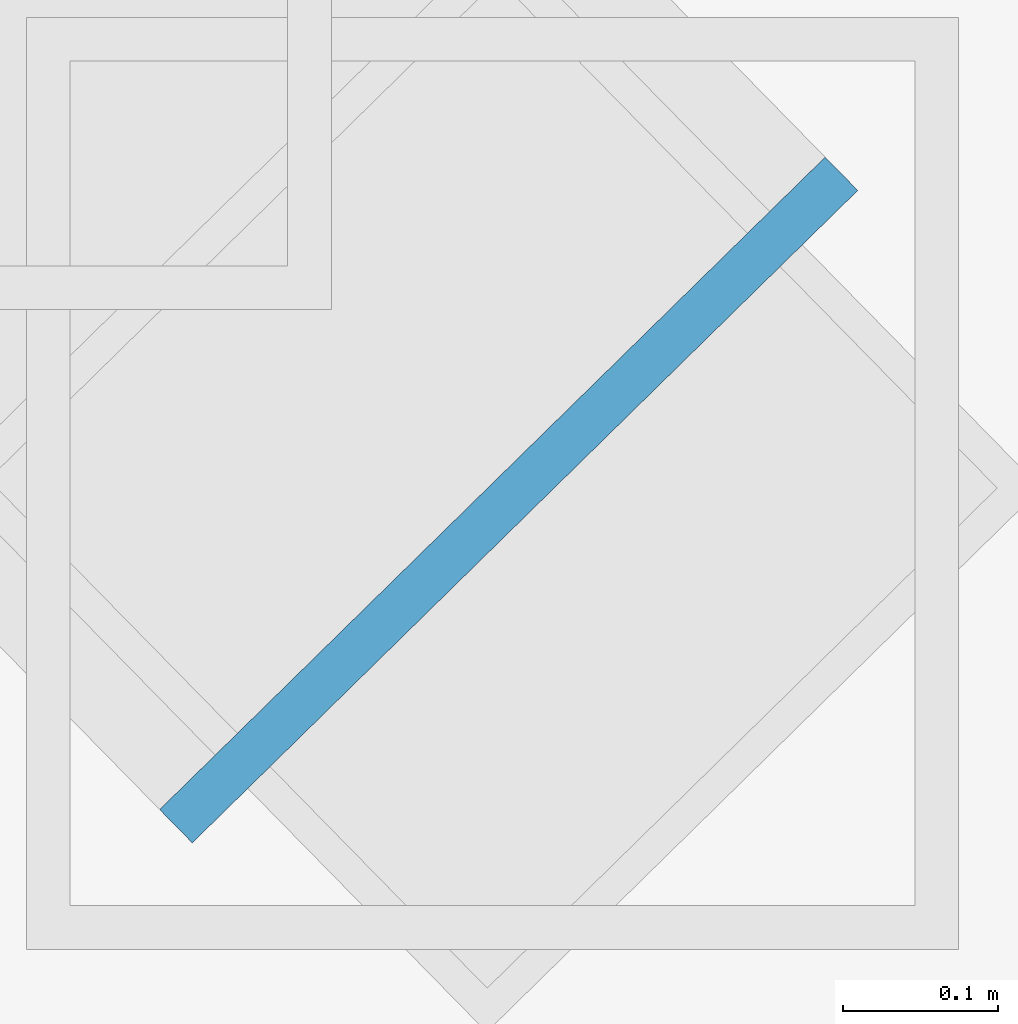
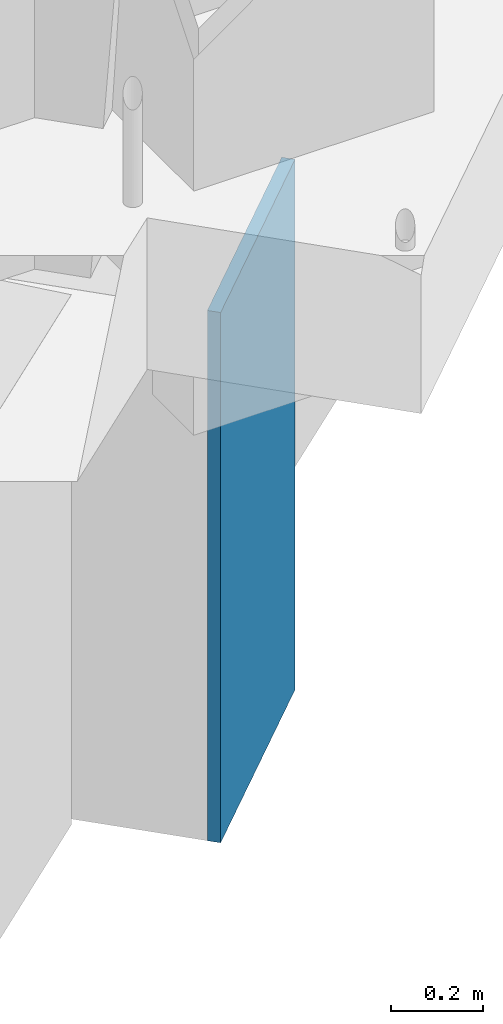
# One storey, part 15 of 27: 1 discrete accessory.
"""IFC4 building model written with IfcOpenShell, lengths in metres."""

from ifc_helpers import new_model, si_unit, direction, frame, origin, origin_2d, place, context, subcontext, project, spatial, rectangle, extrude, material, type_object, element, save


model = new_model("IFC4")

# Units and contexts
model_context = context("Model", 3, precision=1e-05, world=origin(), true_north=direction((0.0, 1.0)))
body_context = subcontext(model_context, "Body", "Model", "MODEL_VIEW")
ifc_project = project(units=[si_unit("LENGTHUNIT", "METRE"), si_unit("AREAUNIT", "SQUARE_METRE"), si_unit("VOLUMEUNIT", "CUBIC_METRE"), si_unit("PLANEANGLEUNIT", "RADIAN"), si_unit("MASSUNIT", "GRAM", prefix="KILO")], contexts=[model_context])

# Site, building, storey
site_placement = place(None, origin())
site = spatial("IfcSite", under=ifc_project, at=site_placement, CompositionType="ELEMENT")
building_placement = place(site_placement, origin())
building = spatial("IfcBuilding", under=site, at=building_placement, Name="Tuul Gate Civic Tower", CompositionType="ELEMENT")
storey_placement = place(building_placement, frame((0.0, 0.0, 201.5)))
storey = spatial("IfcBuildingStorey", under=building, at=storey_placement, Name="Wind floor 1", CompositionType="ELEMENT", Elevation=201.5)

# Discrete accessory
ifc_material = material(Name="Steel S355", Category="steel")
discrete_accessory_type = type_object("IfcDiscreteAccessoryType", Name="End cap plate", PredefinedType="BRACKET", material=ifc_material)
discrete_accessory_placement = place(storey_placement, frame((57.37255859375, -12.5107421875, -1.800048828125), z_axis=(0.0, 0.0, 1.0), x_axis=(-0.700047997827, 0.71409579241, 0.0)))
element("IfcDiscreteAccessory", 1, at=discrete_accessory_placement, inside=storey, type_object=discrete_accessory_type, Name="End cap plate", PredefinedType="BRACKET", context=body_context, shape_type="SweptSolid", body=[
    extrude(rectangle(XDim=0.030029296875, YDim=0.60009765625, at=origin_2d()), origin(), (0.0, 0.0, 1.0), 1.39990234375),
])

save(model, "model.ifc")
